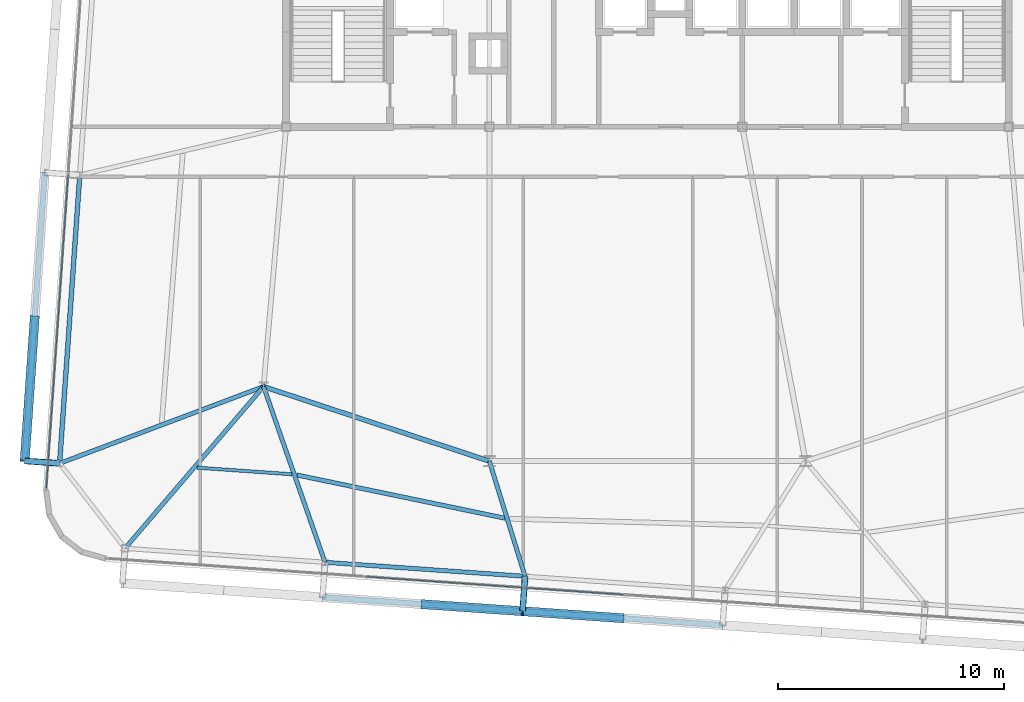
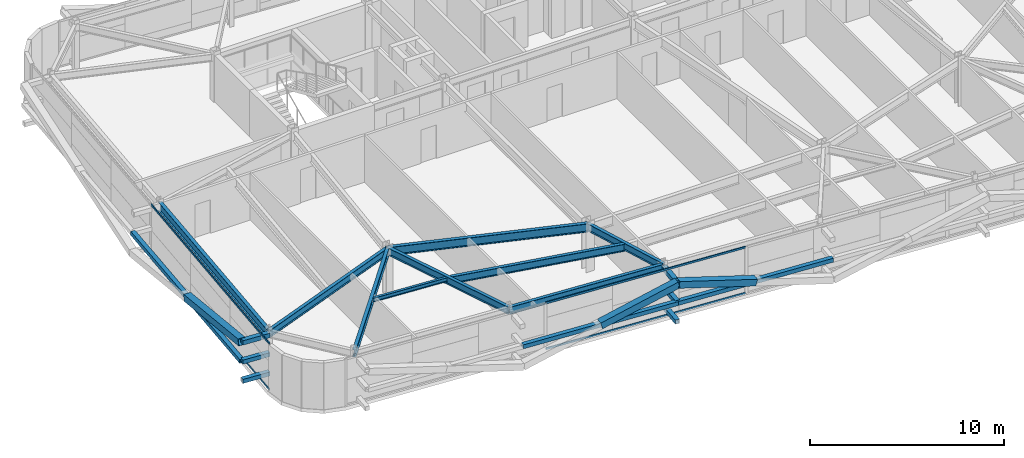
# One storey, part 8 of 39: 16 members, 9 beams, 2 elements without a shape of their own.
"""IFC4 building model written with IfcOpenShell, lengths in metres."""

from ifc_helpers import new_model, si_unit, direction, frame, origin, origin_2d, place, context, subcontext, project, spatial, hollow_rectangle, i_section, extrude, source, transform, mapped, material, layer, layer_set, material_profile, profile_set, type_object, element, aggregate, save


model = new_model("IFC4")

# Units and contexts
model_context = context("Model", 3, precision=1e-05, world=origin(), true_north=direction((0.0, 1.0)))
body_context = subcontext(model_context, "Body", "Model", "MODEL_VIEW")
ifc_project = project(units=[si_unit("LENGTHUNIT", "METRE"), si_unit("AREAUNIT", "SQUARE_METRE"), si_unit("VOLUMEUNIT", "CUBIC_METRE"), si_unit("PLANEANGLEUNIT", "RADIAN"), si_unit("MASSUNIT", "GRAM", prefix="KILO")], contexts=[model_context])

# Site, building, storey
site_placement = place(None, origin())
site = spatial("IfcSite", under=ifc_project, at=site_placement, CompositionType="ELEMENT")
building_placement = place(site_placement, origin())
building = spatial("IfcBuilding", under=site, at=building_placement, Name="Taldren Reach Tower", CompositionType="ELEMENT")
storey_placement = place(building_placement, frame((0.0, 0.0, 136.14990234375)))
storey = spatial("IfcBuildingStorey", under=building, at=storey_placement, Name="L41", CompositionType="ELEMENT", Elevation=136.14990234375)

# Beam
ifc_material_1 = material(Name="Steel Gr 350 (350PLUS)", Category="steel")
ifc_material_profile_1 = material_profile(ifc_material_1, i_section(OverallWidth=0.208984375, OverallDepth=0.532958984375, WebThickness=0.01025390625, FlangeThickness=0.015625, at=origin_2d()), Name="530UB92.4")
ifc_profile_set_1 = profile_set([ifc_material_profile_1], Name="Steel Gr 350 (350PLUS)")
beam_type_1 = type_object("IfcBeamType", Name="BM-UB530A", PredefinedType="BEAM", material=ifc_profile_set_1)
shared_shape_1 = source(origin(), body_context, "Body", "SweptSolid", [
    extrude(i_section(OverallWidth=0.208984375, OverallDepth=0.532958984375, WebThickness=0.01025390625, FlangeThickness=0.015625, at=origin_2d()), origin(), (0.0, 0.0, 1.0), 10.530517578125),
])
beam_1_placement = place(storey_placement, frame((18.0, 12.5, 2.66357421875), z_axis=(0.949627269203, -0.313381635689, 0.0), x_axis=(0.313381635689, 0.949627269203, 0.0)))
element("IfcBeam", 1, at=beam_1_placement, inside=storey, type_object=beam_type_1, Name="Core-spine girder L41-SP10", PredefinedType="BEAM", context=body_context, shape_type="MappedRepresentation", body=[
    mapped(shared_shape_1, transform((0.0, 0.0, 0.0), scale=1.0)),
])

# Members
ifc_material_2 = material(Name="Steel Gr 450 (C450L0)", Category="steel")
ifc_material_profile_2 = material_profile(ifc_material_2, hollow_rectangle(XDim=0.27490234375, YDim=0.27490234375, WallThickness=0.00927734375, at=origin_2d()), Name="275x275x9.3SHS")
ifc_profile_set_2 = profile_set([ifc_material_profile_2], Name="Steel Gr 450 (C450L0)")
member_type_1 = type_object("IfcMemberType", Name="MB-TIE273", PredefinedType="STRUT", material=ifc_profile_set_2)
shared_shape_2 = source(origin(), body_context, "Body", "SweptSolid", [
    extrude(hollow_rectangle(XDim=0.27490234375, YDim=0.27490234375, WallThickness=0.00927734375, at=origin_2d()), origin(), (0.0, 0.0, 1.0), 1.5498046875),
])
member_1_placement = place(storey_placement, frame((8.96875, 9.099609375, 2.650146484375), z_axis=(-0.997573320145, 0.069623781384, 0.0), x_axis=(-0.069623781384, -0.997573320145, 0.0)))
element("IfcMember", 2, at=member_1_placement, inside=storey, type_object=member_type_1, Name="Exoskeleton diaphragm tie strut B3-W1 L41", PredefinedType="STRUT", context=body_context, shape_type="MappedRepresentation", body=[
    mapped(shared_shape_2, transform((0.0, 0.0, 0.0), scale=1.0)),
])
ifc_material_3 = material(Name="Steel Gr 350 (C350L0)", Category="steel")
ifc_material_profile_3 = material_profile(ifc_material_3, hollow_rectangle(XDim=0.25, YDim=0.25, WallThickness=0.010009765625, at=origin_2d()), Name="250x250x10.0SHS")
ifc_profile_set_3 = profile_set([ifc_material_profile_3], Name="Steel Gr 350 (C350L0)")
member_type_2 = type_object("IfcMemberType", Name="MB-POST250", PredefinedType="POST", material=ifc_profile_set_3)
shared_shape_3 = source(origin(), body_context, "Body", "SweptSolid", [
    extrude(hollow_rectangle(XDim=0.25, YDim=0.25, WallThickness=0.010009765625, at=origin_2d()), origin(), (0.0, 0.0, 1.0), 1.5498046875),
])
for number, where, z_axis, x_axis, name in (
    (3, (8.96875, 9.099609375, 0.22021484375), (-0.997573320145, 0.069623781384, 0.0), (-0.069623781384, -0.997573320145, 0.0), "Exoskeleton base diaphragm tie strut B3-W1 L41"),
    (4, (8.96875, 9.099609375, 1.43505859375), (-0.997573320145, 0.069623781384, 0.0), (-0.069623781384, -0.997573320145, 0.0), "Exoskeleton mid-tier diaphragm tie B3-W1 L41"),
):
    element("IfcMember", number, at=place(storey_placement, frame(where, z_axis=z_axis, x_axis=x_axis)), inside=storey, type_object=member_type_2, Name=name, PredefinedType="POST", context=body_context, shape_type="MappedRepresentation", body=[
        mapped(shared_shape_3, transform((0.0, 0.0, 0.0), scale=1.0)),
    ])
shared_shape_4 = source(origin(), body_context, "Body", "SweptSolid", [
    extrude(hollow_rectangle(XDim=0.27490234375, YDim=0.27490234375, WallThickness=0.00927734375, at=origin_2d()), origin(), (0.0, 0.0, 1.0), 1.550048828125),
])
member_2_placement = place(storey_placement, frame((29.580322265625, 4.099609375, 2.650146484375), z_axis=(-0.06976957191, -0.99756313426, 0.0), x_axis=(0.99756313426, -0.06976957191, 0.0)))
element("IfcMember", 5, at=member_2_placement, inside=storey, type_object=member_type_1, Name="Exoskeleton diaphragm tie strut B3-S3 L41", PredefinedType="STRUT", context=body_context, shape_type="MappedRepresentation", body=[
    mapped(shared_shape_4, transform((0.0, 0.0, 0.0), scale=1.0)),
])
shared_shape_5 = source(origin(), body_context, "Body", "SweptSolid", [
    extrude(hollow_rectangle(XDim=0.25, YDim=0.25, WallThickness=0.010009765625, at=origin_2d()), origin(), (0.0, 0.0, 1.0), 1.550048828125),
])
for number, where, z_axis, x_axis, name in (
    (6, (29.580322265625, 4.099609375, 0.22021484375), (-0.06976957191, -0.99756313426, 0.0), (0.99756313426, -0.06976957191, 0.0), "Exoskeleton base diaphragm tie strut B3-S3 L41"),
    (7, (29.580322265625, 4.099609375, 1.43505859375), (-0.06976957191, -0.99756313426, 0.0), (0.99756313426, -0.06976957191, 0.0), "Exoskeleton mid-tier diaphragm tie B3-S3 L41"),
):
    element("IfcMember", number, at=place(storey_placement, frame(where, z_axis=z_axis, x_axis=x_axis)), inside=storey, type_object=member_type_2, Name=name, PredefinedType="POST", context=body_context, shape_type="MappedRepresentation", body=[
        mapped(shared_shape_5, transform((0.0, 0.0, 0.0), scale=1.0)),
    ])

# Beams
ifc_material_profile_4 = material_profile(ifc_material_1, i_section(OverallWidth=0.18994140625, OverallDepth=0.4541015625, WebThickness=0.008544921875, FlangeThickness=0.0126953125, at=origin_2d()), Name="460UB67.1")
ifc_profile_set_4 = profile_set([ifc_material_profile_4], Name="Steel Gr 350 (350PLUS)")
beam_type_2 = type_object("IfcBeamType", Name="SP-UB460B", PredefinedType="SPANDREL", material=ifc_profile_set_4)
shared_shape_6 = source(origin(), body_context, "Body", "SweptSolid", [
    extrude(i_section(OverallWidth=0.18994140625, OverallDepth=0.4541015625, WebThickness=0.008544921875, FlangeThickness=0.0126953125, at=origin_2d()), origin(), (0.0, 0.0, 1.0), 8.880126953125),
])
beam_2_placement = place(storey_placement, frame((20.721923828125, 4.718994140625, 2.703125), z_axis=(0.997564479639, -0.069750333063, 0.0), x_axis=(0.069750333063, 0.997564479639, 0.0)))
element("IfcBeam", 8, at=beam_2_placement, inside=storey, type_object=beam_type_2, Name="Perimeter spandrel B3 S2-S3 L41", PredefinedType="SPANDREL", context=body_context, shape_type="MappedRepresentation", body=[
    mapped(shared_shape_6, transform((0.0, 0.0, 0.0), scale=1.0)),
])
ifc_material_profile_5 = material_profile(ifc_material_1, i_section(OverallWidth=0.208984375, OverallDepth=0.528076171875, WebThickness=0.009521484375, FlangeThickness=0.01318359375, at=origin_2d()), Name="530UB82.0")
ifc_profile_set_5 = profile_set([ifc_material_profile_5], Name="Steel Gr 350 (350PLUS)")
beam_type_3 = type_object("IfcBeamType", Name="SP-UB530B", PredefinedType="SPANDREL", material=ifc_profile_set_5)
shared_shape_7 = source(origin(), body_context, "Body", "SweptSolid", [
    extrude(i_section(OverallWidth=0.208984375, OverallDepth=0.528076171875, WebThickness=0.009521484375, FlangeThickness=0.01318359375, at=origin_2d()), origin(), (0.0, 0.0, 1.0), 12.800048828125),
])
beam_3_placement = place(storey_placement, frame((9.86181640625, 21.868408203125, 2.666015625), z_axis=(-0.069770857464, -0.997563044348, 0.0), x_axis=(0.997563044348, -0.069770857464, 0.0)))
element("IfcBeam", 9, at=beam_3_placement, inside=storey, type_object=beam_type_3, Name="Perimeter spandrel B3 W2-W1 L41", PredefinedType="SPANDREL", context=body_context, shape_type="MappedRepresentation", body=[
    mapped(shared_shape_7, transform((0.0, 0.0, 0.0), scale=1.0)),
])
ifc_material_profile_6 = material_profile(ifc_material_1, i_section(OverallWidth=0.19091796875, OverallDepth=0.4599609375, WebThickness=0.010009765625, FlangeThickness=0.01611328125, at=origin_2d()), Name="460UB82.1")
ifc_profile_set_6 = profile_set([ifc_material_profile_6], Name="Steel Gr 350 (350PLUS)")
beam_type_4 = type_object("IfcBeamType", Name="BM-UB460A", PredefinedType="BEAM", material=ifc_profile_set_6)
shared_shape_8 = source(origin(), body_context, "Body", "SweptSolid", [
    extrude(i_section(OverallWidth=0.19091796875, OverallDepth=0.4599609375, WebThickness=0.010009765625, FlangeThickness=0.01611328125, at=origin_2d()), origin(), (0.0, 0.0, 1.0), 9.43115234375),
])
beam_4_placement = place(storey_placement, frame((18.0, 12.5, 2.7001953125), z_axis=(-0.650665584965, -0.759364402999, 0.0), x_axis=(0.759364402999, -0.650665584965, 0.0)))
element("IfcBeam", 10, at=beam_4_placement, inside=storey, type_object=beam_type_4, Name="Primary floor girder B3-S1 L41", PredefinedType="BEAM", context=body_context, shape_type="MappedRepresentation", body=[
    mapped(shared_shape_8, transform((0.0, 0.0, 0.0), scale=1.0)),
])
shared_shape_9 = source(origin(), body_context, "Body", "SweptSolid", [
    extrude(i_section(OverallWidth=0.19091796875, OverallDepth=0.4599609375, WebThickness=0.010009765625, FlangeThickness=0.01611328125, at=origin_2d()), origin(), (0.0, 0.0, 1.0), 8.243408203125),
])
beam_5_placement = place(storey_placement, frame((18.0, 12.5, 2.7001953125), z_axis=(0.330196070713, -0.943912366105, 0.0), x_axis=(0.943912366105, 0.330196070713, 0.0)))
element("IfcBeam", 11, at=beam_5_placement, inside=storey, type_object=beam_type_4, Name="Primary floor girder B3-S2 L41", PredefinedType="BEAM", context=body_context, shape_type="MappedRepresentation", body=[
    mapped(shared_shape_9, transform((0.0, 0.0, 0.0), scale=1.0)),
])
shared_shape_10 = source(origin(), body_context, "Body", "SweptSolid", [
    extrude(i_section(OverallWidth=0.19091796875, OverallDepth=0.4599609375, WebThickness=0.010009765625, FlangeThickness=0.01611328125, at=origin_2d()), origin(), (0.0, 0.0, 1.0), 5.339599609375),
])
beam_6_placement = place(storey_placement, frame((28.0, 9.199951171875, 2.7001953125), z_axis=(0.295964865482, -0.955198826632, 0.0), x_axis=(0.955198826632, 0.295964865482, 0.0)))
element("IfcBeam", 12, at=beam_6_placement, inside=storey, type_object=beam_type_4, Name="Primary floor girder B3-S3 L41", PredefinedType="BEAM", context=body_context, shape_type="MappedRepresentation", body=[
    mapped(shared_shape_10, transform((0.0, 0.0, 0.0), scale=1.0)),
])
shared_shape_11 = source(origin(), body_context, "Body", "SweptSolid", [
    extrude(i_section(OverallWidth=0.19091796875, OverallDepth=0.4599609375, WebThickness=0.010009765625, FlangeThickness=0.01611328125, at=origin_2d()), origin(), (0.0, 0.0, 1.0), 9.650146484375),
])
beam_7_placement = place(storey_placement, frame((18.0, 12.5, 2.7001953125), z_axis=(-0.935862573906, -0.352365212191, 0.0), x_axis=(0.352365212191, -0.935862573906, 0.0)))
element("IfcBeam", 13, at=beam_7_placement, inside=storey, type_object=beam_type_4, Name="Primary floor girder B3-W1 L41", PredefinedType="BEAM", context=body_context, shape_type="MappedRepresentation", body=[
    mapped(shared_shape_11, transform((0.0, 0.0, 0.0), scale=1.0)),
])
ifc_material_4 = material(Name="Steel Gr 300 (300PLUS, 300 MPa)", Category="steel")
ifc_material_profile_7 = material_profile(ifc_material_4, i_section(OverallWidth=0.14599609375, OverallDepth=0.256103515625, WebThickness=0.00634765625, FlangeThickness=0.010986328125, at=origin_2d()), Name="250UB37.3")
ifc_profile_set_7 = profile_set([ifc_material_profile_7], Name="Steel Gr 300 (300PLUS, 300 MPa)")
beam_type_5 = type_object("IfcBeamType", Name="JS-UB250", PredefinedType="JOIST", material=ifc_profile_set_7)
shared_shape_12 = source(origin(), body_context, "Body", "SweptSolid", [
    extrude(i_section(OverallWidth=0.14599609375, OverallDepth=0.256103515625, WebThickness=0.00634765625, FlangeThickness=0.010986328125, at=origin_2d()), origin(), (0.0, 0.0, 1.0), 4.217041015625),
])
beam_8_placement = place(storey_placement, frame((15.050537109375, 8.910888671875, 2.802001953125), z_axis=(0.997563683226, -0.069761722378, 0.0), x_axis=(0.069761722378, 0.997563683226, 0.0)))
element("IfcBeam", 14, at=beam_8_placement, inside=storey, type_object=beam_type_5, Name="Secondary floor joist B3 J1 L41", PredefinedType="JOIST", context=body_context, shape_type="MappedRepresentation", body=[
    mapped(shared_shape_12, transform((0.0, 0.0, 0.0), scale=1.0)),
])
shared_shape_13 = source(origin(), body_context, "Body", "SweptSolid", [
    extrude(i_section(OverallWidth=0.19091796875, OverallDepth=0.4599609375, WebThickness=0.010009765625, FlangeThickness=0.01611328125, at=origin_2d()), origin(), (0.0, 0.0, 1.0), 9.410400390625),
])
beam_9_placement = place(storey_placement, frame((19.469970703125, 8.5869140625, 2.7001953125), z_axis=(0.97907399109, -0.20350459447, 0.0), x_axis=(0.20350459447, 0.97907399109, 0.0)))
element("IfcBeam", 15, at=beam_9_placement, inside=storey, type_object=beam_type_4, Name="Secondary floor beam B3 J2 L41", PredefinedType="BEAM", context=body_context, shape_type="MappedRepresentation", body=[
    mapped(shared_shape_13, transform((0.0, 0.0, 0.0), scale=1.0)),
])

# Members
shared_shape_14 = source(origin(), body_context, "Body", "SweptSolid", [
    extrude(hollow_rectangle(XDim=0.25, YDim=0.25, WallThickness=0.010009765625, at=origin_2d()), origin(), (0.0, 0.0, 1.0), 8.880126953125),
])
for number, where, z_axis, x_axis, name in (
    (16, (20.61376953125, 3.1728515625, 1.43505859375), (0.997562566276, -0.06977769246, 0.0), (0.06977769246, 0.997562566276, 0.0), "Exoskeleton mid-height ring chord B3-S2 L41"),
    (17, (29.47216796875, 2.55322265625, 1.43505859375), (0.997564479639, -0.069750333063, 0.0), (0.069750333063, 0.997564479639, 0.0), "Exoskeleton mid-height ring chord B3-S3 L41"),
):
    element("IfcMember", number, at=place(storey_placement, frame(where, z_axis=z_axis, x_axis=x_axis)), inside=storey, type_object=member_type_2, Name=name, PredefinedType="POST", context=body_context, shape_type="MappedRepresentation", body=[
        mapped(shared_shape_14, transform((0.0, 0.0, 0.0), scale=1.0)),
    ])
shared_shape_15 = source(origin(), body_context, "Body", "SweptSolid", [
    extrude(hollow_rectangle(XDim=0.25, YDim=0.25, WallThickness=0.010009765625, at=origin_2d()), origin(), (0.0, 0.0, 1.0), 12.80029296875),
])
member_3_placement = place(storey_placement, frame((7.422607421875, 9.20751953125, 1.43505859375), z_axis=(0.069750549628, 0.997564464497, 0.0), x_axis=(-0.997564464497, 0.069750549628, 0.0)))
element("IfcMember", 18, at=member_3_placement, inside=storey, type_object=member_type_2, Name="Exoskeleton mid-height ring chord B3-W1 L41", PredefinedType="POST", context=body_context, shape_type="MappedRepresentation", body=[
    mapped(shared_shape_15, transform((0.0, 0.0, 0.0), scale=1.0)),
])
ifc_material_profile_8 = material_profile(ifc_material_2, hollow_rectangle(XDim=0.409912109375, YDim=0.409912109375, WallThickness=0.01611328125, at=origin_2d()), Name="410x410x16.0SHS")
ifc_profile_set_8 = profile_set([ifc_material_profile_8], Name="Steel Gr 450 (C450L0)")
member_type_3 = type_object("IfcMemberType", Name="MB-EXO406", PredefinedType="BRACE", material=ifc_profile_set_8)
shared_shape_16 = source(origin(), body_context, "Body", "SweptSolid", [
    extrude(hollow_rectangle(XDim=0.409912109375, YDim=0.409912109375, WallThickness=0.01611328125, at=origin_2d()), origin(), (0.0, 0.0, 1.0), 4.603271484375),
])
for number, where, z_axis, x_axis, name in (
    (19, (25.04296875, 2.863037109375, 1.43505859375), (0.962182351074, -0.067302910567, 0.263961060594), (0.06977769246, 0.997562566276, 0.0), "Exoskeleton Diagrid Brace B3-S2 L41"),
    (20, (33.9013671875, 2.24365234375, 1.43505859375), (-0.962185784239, 0.067250114343, 0.263962002434), (-0.069722973508, -0.997566392259, 0.0), "Exoskeleton Diagrid Brace B3-S3 L41"),
):
    element("IfcMember", number, at=place(storey_placement, frame(where, z_axis=z_axis, x_axis=x_axis)), inside=storey, type_object=member_type_3, Name=name, PredefinedType="BRACE", context=body_context, shape_type="MappedRepresentation", body=[
        mapped(shared_shape_16, transform((0.0, 0.0, 0.0), scale=1.0)),
    ])
shared_shape_17 = source(origin(), body_context, "Body", "SweptSolid", [
    extrude(hollow_rectangle(XDim=0.409912109375, YDim=0.409912109375, WallThickness=0.01611328125, at=origin_2d()), origin(), (0.0, 0.0, 1.0), 6.514404296875),
])
member_4_placement = place(storey_placement, frame((7.869140625, 15.592041015625, 1.43505859375), z_axis=(-0.068545126831, -0.980056649402, 0.186522195865), x_axis=(0.997563137195, -0.069769529958, 0.0)))
element("IfcMember", 21, at=member_4_placement, inside=storey, type_object=member_type_3, Name="Exoskeleton Diagrid Brace B3-W1 L41", PredefinedType="BRACE", context=body_context, shape_type="MappedRepresentation", body=[
    mapped(shared_shape_17, transform((0.0, 0.0, 0.0), scale=1.0)),
])

# Curtain wall, members
ifc_material_5 = material(Name="Aluminium and Low-E Glass Unitised System", Category="aluminium")
ifc_layer = layer(ifc_material_5, 0.159912109375)
ifc_layer_set = layer_set([ifc_layer], Name="Aluminium and Low-E Glass Unitised System")
curtain_wall_type = type_object("IfcCurtainWallType", Name="CW-SYS-4", PredefinedType="NOTDEFINED", material=ifc_layer_set)
curtain_wall_1_placement = place(storey_placement, origin())
curtain_wall_1 = element("IfcCurtainWall", 22, at=curtain_wall_1_placement, inside=storey, type_object=curtain_wall_type, Name="Unitised curtain wall CW-L41-S", PredefinedType="NOTDEFINED")
ifc_material_6 = material(Name="Anodised Aluminium 6063-T6", Category="aluminium")
ifc_material_profile_9 = material_profile(ifc_material_6, hollow_rectangle(XDim=0.054931640625, YDim=0.1201171875, WallThickness=0.0029296875, at=origin_2d()), Name="ALU-120x55x3RHS")
ifc_profile_set_9 = profile_set([ifc_material_profile_9], Name="Anodised Aluminium 6063-T6")
member_type_4 = type_object("IfcMemberType", Name="CW-TRN-135", PredefinedType="USERDEFINED", material=ifc_profile_set_9)
shared_shape_18 = source(origin(), body_context, "Body", "SweptSolid", [
    extrude(hollow_rectangle(XDim=0.054931640625, YDim=0.1201171875, WallThickness=0.0029296875, at=origin_2d()), origin(), (0.0, 0.0, 1.0), 11.429931640625),
])
member_5_placement = place(storey_placement, frame((22.536865234375, 4.080810546875, 0.027587890625), z_axis=(0.997563740938, -0.069760897114, 0.0), x_axis=(0.069760897114, 0.997563740938, 0.0)))
member_5 = element("IfcMember", 23, at=member_5_placement, type_object=member_type_4, Name="CW-4 transom 2.1", ObjectType="TRANSOM", PredefinedType="USERDEFINED", context=body_context, shape_type="MappedRepresentation", body=[
    mapped(shared_shape_18, transform((0.0, 0.0, 0.0), scale=1.0)),
])
member_6_placement = place(storey_placement, frame((22.536865234375, 4.080810546875, 2.902587890625), z_axis=(0.997563740938, -0.069760897114, 0.0), x_axis=(0.069760897114, 0.997563740938, 0.0)))
member_6 = element("IfcMember", 24, at=member_6_placement, type_object=member_type_4, Name="CW-4 transom 2.2", ObjectType="TRANSOM", PredefinedType="USERDEFINED", context=body_context, shape_type="MappedRepresentation", body=[
    mapped(shared_shape_18, transform((0.0, 0.0, 0.0), scale=1.0)),
])
aggregate(curtain_wall_1, [member_5, member_6])

curtain_wall_2_placement = place(storey_placement, origin())
curtain_wall_2 = element("IfcCurtainWall", 25, at=curtain_wall_2_placement, inside=storey, type_object=curtain_wall_type, Name="Unitised curtain wall CW-L41-W", PredefinedType="NOTDEFINED")
shared_shape_19 = source(origin(), body_context, "Body", "SweptSolid", [
    extrude(hollow_rectangle(XDim=0.054931640625, YDim=0.1201171875, WallThickness=0.0029296875, at=origin_2d()), origin(), (0.0, 0.0, 1.0), 13.89501953125),
])
member_7_placement = place(storey_placement, frame((9.3505859375, 21.868896484375, 0.027587890625), z_axis=(-0.069754817075, -0.997564166104, 0.0), x_axis=(0.997564166104, -0.069754817075, 0.0)))
member_7 = element("IfcMember", 26, at=member_7_placement, type_object=member_type_4, Name="CW-4 transom 2.1", ObjectType="TRANSOM", PredefinedType="USERDEFINED", context=body_context, shape_type="MappedRepresentation", body=[
    mapped(shared_shape_19, transform((0.0, 0.0, 0.0), scale=1.0)),
])
member_8_placement = place(storey_placement, frame((9.3505859375, 21.868896484375, 2.902587890625), z_axis=(-0.069754817075, -0.997564166104, 0.0), x_axis=(0.997564166104, -0.069754817075, 0.0)))
member_8 = element("IfcMember", 27, at=member_8_placement, type_object=member_type_4, Name="CW-4 transom 2.2", ObjectType="TRANSOM", PredefinedType="USERDEFINED", context=body_context, shape_type="MappedRepresentation", body=[
    mapped(shared_shape_19, transform((0.0, 0.0, 0.0), scale=1.0)),
])
aggregate(curtain_wall_2, [member_7, member_8])

save(model, "model.ifc")
